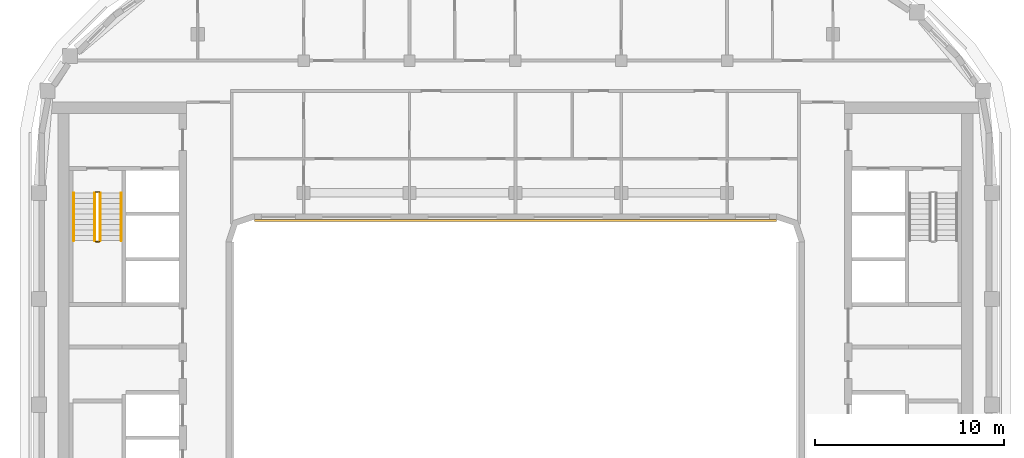
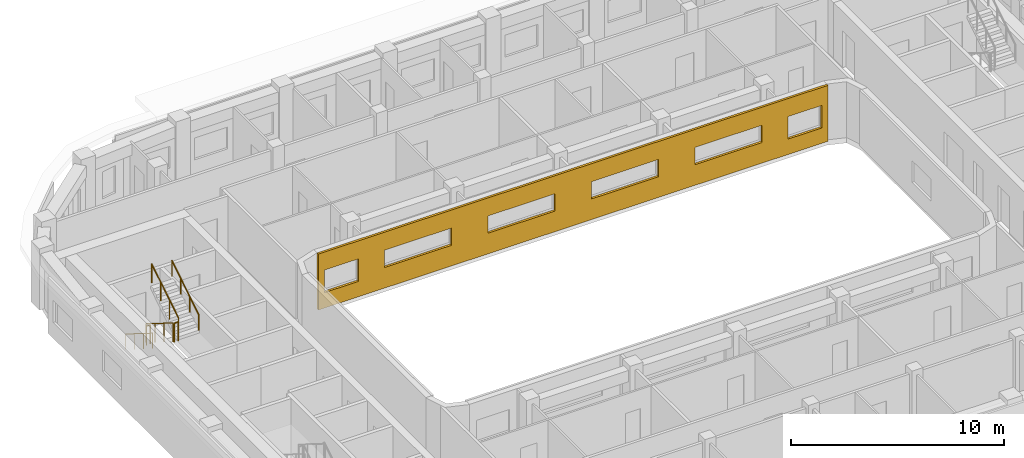
# One storey, part 12 of 16: 6 railings, 1 covering.
"""IFC4 building model written with IfcOpenShell, lengths in metres."""

from ifc_helpers import new_model, si_unit, direction, frame, origin, origin_2d, place, context, subcontext, project, spatial, polyline, circle, outline, extrude, material, layer, layer_set, type_object, element, save


model = new_model("IFC4")

# Units and contexts
model_context = context("Model", 3, precision=1e-05, world=origin(), true_north=direction((0.0, 1.0)))
body_context = subcontext(model_context, "Body", "Model", "MODEL_VIEW")
ifc_project = project(units=[si_unit("LENGTHUNIT", "METRE"), si_unit("AREAUNIT", "SQUARE_METRE"), si_unit("VOLUMEUNIT", "CUBIC_METRE"), si_unit("PLANEANGLEUNIT", "RADIAN"), si_unit("MASSUNIT", "GRAM", prefix="KILO")], contexts=[model_context])

# Site, building, storey
site_placement = place(None, origin())
site = spatial("IfcSite", under=ifc_project, at=site_placement, CompositionType="ELEMENT")
building_placement = place(site_placement, origin())
building = spatial("IfcBuilding", under=site, at=building_placement, Name="Kiln Ring Residences", CompositionType="ELEMENT")
storey_placement = place(building_placement, frame((0.0, 0.0, 245.199951171875)))
storey = spatial("IfcBuildingStorey", under=building, at=storey_placement, Name="L63", CompositionType="ELEMENT", Elevation=245.199951171875)

# Railings
ifc_material_1 = material(Name="Stainless steel", Category="steel")
railing_type_1 = type_object("IfcRailingType", Name="CORE-STAIR-GUARD", PredefinedType="GUARDRAIL", material=ifc_material_1)
railing_1_placement = place(storey_placement, frame((-22.25, 8.39990234375, 0.175048828125)))
element("IfcRailing", 1, at=railing_1_placement, inside=storey, type_object=railing_type_1, Name="L63 W-STN stair guard 1", PredefinedType="GUARDRAIL", context=body_context, shape_type="SweptSolid", body=[
    extrude(circle(Radius=0.02392578125, at=origin_2d()), frame((0.0, 0.0, 1.076171875), z_axis=(0.0, -0.848007534815, 0.529984170421), x_axis=(1.0, 0.0, 0.0)), (0.0, 0.0, 1.0), 2.9716796875),
    extrude(circle(Radius=0.02099609375, at=origin_2d()), origin(), (0.0, 0.0, 1.0), 1.052001953125),
    extrude(circle(Radius=0.02099609375, at=origin_2d()), frame((0.0, -0.840087890625, 0.52490234375)), (0.0, 0.0, 1.0), 1.052001953125),
    extrude(circle(Radius=0.02099609375, at=origin_2d()), frame((0.0, -1.679931640625, 1.050048828125)), (0.0, 0.0, 1.0), 1.052001953125),
    extrude(circle(Radius=0.02099609375, at=origin_2d()), frame((0.0, -2.52001953125, 1.574951171875)), (0.0, 0.0, 1.0), 1.052001953125),
])
railing_2_placement = place(storey_placement, frame((-22.199951171875, 5.830078125, 1.75)))
element("IfcRailing", 2, at=railing_2_placement, inside=storey, type_object=railing_type_1, Name="L63 W-STN stair guard 2", PredefinedType="GUARDRAIL", context=body_context, shape_type="SweptSolid", body=[
    extrude(circle(Radius=0.02392578125, at=origin_2d()), frame((0.0, 0.0, 1.076171875), z_axis=(1.0, 0.0, 0.0), x_axis=(0.0, 1.0, 0.0)), (0.0, 0.0, 1.0), 0.199951171875),
    extrude(circle(Radius=0.02099609375, at=origin_2d()), origin(), (0.0, 0.0, 1.0), 1.052001953125),
    extrude(circle(Radius=0.02099609375, at=origin_2d()), frame((0.199951171875, 0.0, 0.0)), (0.0, 0.0, 1.0), 1.052001953125),
])
railing_3_placement = place(storey_placement, frame((-21.949951171875, 5.8798828125, 1.925048828125)))
element("IfcRailing", 3, at=railing_3_placement, inside=storey, type_object=railing_type_1, Name="L63 W-STN stair guard 3", PredefinedType="GUARDRAIL", context=body_context, shape_type="SweptSolid", body=[
    extrude(circle(Radius=0.02392578125, at=origin_2d()), frame((0.0, 0.0, 1.076171875), z_axis=(0.0, 0.848007534815, 0.529984170421), x_axis=(-1.0, 0.0, 0.0)), (0.0, 0.0, 1.0), 2.9716796875),
    extrude(circle(Radius=0.02099609375, at=origin_2d()), origin(), (0.0, 0.0, 1.0), 1.052001953125),
    extrude(circle(Radius=0.02099609375, at=origin_2d()), frame((0.0, 0.840087890625, 0.52490234375)), (0.0, 0.0, 1.0), 1.052001953125),
    extrude(circle(Radius=0.02099609375, at=origin_2d()), frame((0.0, 1.679931640625, 1.050048828125)), (0.0, 0.0, 1.0), 1.052001953125),
    extrude(circle(Radius=0.02099609375, at=origin_2d()), frame((0.0, 2.52001953125, 1.574951171875)), (0.0, 0.0, 1.0), 1.052001953125),
])
railing_4_placement = place(storey_placement, frame((-22.199951171875, 8.449951171875, 0.0)))
element("IfcRailing", 4, at=railing_4_placement, inside=storey, type_object=railing_type_1, Name="L63 W-STN stair guard 4", PredefinedType="GUARDRAIL", context=body_context, shape_type="SweptSolid", body=[
    extrude(circle(Radius=0.02392578125, at=origin_2d()), frame((0.0, 0.0, 1.076171875), z_axis=(1.0, 0.0, 0.0), x_axis=(0.0, 1.0, 0.0)), (0.0, 0.0, 1.0), 0.199951171875),
    extrude(circle(Radius=0.02099609375, at=origin_2d()), origin(), (0.0, 0.0, 1.0), 1.052001953125),
    extrude(circle(Radius=0.02099609375, at=origin_2d()), frame((0.199951171875, 0.0, 0.0)), (0.0, 0.0, 1.0), 1.052001953125),
])
ifc_material_2 = material(Name="Stainless steel", Category="steel")
railing_type_2 = type_object("IfcRailingType", Name="CORE-STAIR-HANDRAIL", PredefinedType="HANDRAIL", material=ifc_material_2)
railing_5_placement = place(storey_placement, frame((-23.35009765625, 8.39990234375, 0.175048828125)))
element("IfcRailing", 5, at=railing_5_placement, inside=storey, type_object=railing_type_2, Name="L63 W-STN stair handrail 1", PredefinedType="HANDRAIL", context=body_context, shape_type="SweptSolid", body=[
    extrude(circle(Radius=0.02392578125, at=origin_2d()), frame((0.0, 0.0, 0.8759765625), z_axis=(0.0, -0.848007534815, 0.529984170421), x_axis=(1.0, 0.0, 0.0)), (0.0, 0.0, 1.0), 2.9716796875),
    extrude(circle(Radius=0.02099609375, at=origin_2d()), origin(), (0.0, 0.0, 1.0), 0.851806640625),
    extrude(circle(Radius=0.02099609375, at=origin_2d()), frame((0.0, -0.840087890625, 0.52490234375)), (0.0, 0.0, 1.0), 0.851806640625),
    extrude(circle(Radius=0.02099609375, at=origin_2d()), frame((0.0, -1.679931640625, 1.050048828125)), (0.0, 0.0, 1.0), 0.851806640625),
    extrude(circle(Radius=0.02099609375, at=origin_2d()), frame((0.0, -2.52001953125, 1.574951171875)), (0.0, 0.0, 1.0), 0.851806640625),
])
railing_6_placement = place(storey_placement, frame((-20.85009765625, 5.8798828125, 1.925048828125)))
element("IfcRailing", 6, at=railing_6_placement, inside=storey, type_object=railing_type_2, Name="L63 W-STN stair handrail 2", PredefinedType="HANDRAIL", context=body_context, shape_type="SweptSolid", body=[
    extrude(circle(Radius=0.02392578125, at=origin_2d()), frame((0.0, 0.0, 0.8759765625), z_axis=(0.0, 0.848007534815, 0.529984170421), x_axis=(-1.0, 0.0, 0.0)), (0.0, 0.0, 1.0), 2.9716796875),
    extrude(circle(Radius=0.02099609375, at=origin_2d()), origin(), (0.0, 0.0, 1.0), 0.851806640625),
    extrude(circle(Radius=0.02099609375, at=origin_2d()), frame((0.0, 0.840087890625, 0.52490234375)), (0.0, 0.0, 1.0), 0.851806640625),
    extrude(circle(Radius=0.02099609375, at=origin_2d()), frame((0.0, 1.679931640625, 1.050048828125)), (0.0, 0.0, 1.0), 0.851806640625),
    extrude(circle(Radius=0.02099609375, at=origin_2d()), frame((0.0, 2.52001953125, 1.574951171875)), (0.0, 0.0, 1.0), 0.851806640625),
])

# Covering
ifc_material_3 = material(Name="Brick masonry, dark clay brick", Category="masonry")
ifc_layer = layer(ifc_material_3, 0.1201171875)
ifc_layer_set = layer_set([ifc_layer], Name="RAINSCREEN PANEL 120")
covering_type = type_object("IfcCoveringType", Name="RAINSCREEN PANEL 120", PredefinedType="CLADDING", material=ifc_layer_set)
covering_placement = place(storey_placement, frame((-13.800048828125, 6.93994140625, 0.0), z_axis=(0.0, 0.0, 1.0), x_axis=(1.0, 0.0, 0.0)))
element("IfcCovering", 7, at=covering_placement, inside=storey, type_object=covering_type, Name="RAINSCREEN L63", PredefinedType="CLADDING", context=body_context, shape_type="SweptSolid", body=[
    extrude(outline(polyline([(0.0, 0.0), (27.60009765625, 0.0), (27.60009765625, 3.199951171875), (0.0, 3.199951171875), (0.0, 0.0)]), holes=[polyline([(2.1826171875, 0.880126953125), (2.1826171875, 2.170166015625), (0.342529296875, 2.170166015625), (0.342529296875, 0.880126953125), (2.1826171875, 0.880126953125)]), polyline([(25.41748046875, 0.880126953125), (27.257568359375, 0.880126953125), (27.257568359375, 2.170166015625), (25.41748046875, 2.170166015625), (25.41748046875, 0.880126953125)]), polyline([(3.580078125, 1.179931640625), (7.219970703125, 1.179931640625), (7.219970703125, 2.170166015625), (3.580078125, 2.170166015625), (3.580078125, 1.179931640625)]), polyline([(12.820068359375, 1.179931640625), (12.820068359375, 2.170166015625), (9.179931640625, 2.170166015625), (9.179931640625, 1.179931640625), (12.820068359375, 1.179931640625)]), polyline([(14.780029296875, 1.179931640625), (18.419921875, 1.179931640625), (18.419921875, 2.170166015625), (14.780029296875, 2.170166015625), (14.780029296875, 1.179931640625)]), polyline([(20.3798828125, 1.179931640625), (24.02001953125, 1.179931640625), (24.02001953125, 2.170166015625), (20.3798828125, 2.170166015625), (20.3798828125, 1.179931640625)])]), frame((0.0, 0.06005859375, 0.0), z_axis=(0.0, -1.0, 0.0), x_axis=(1.0, 0.0, 0.0)), (0.0, 0.0, 1.0), 0.1201171875),
])

save(model, "model.ifc")
